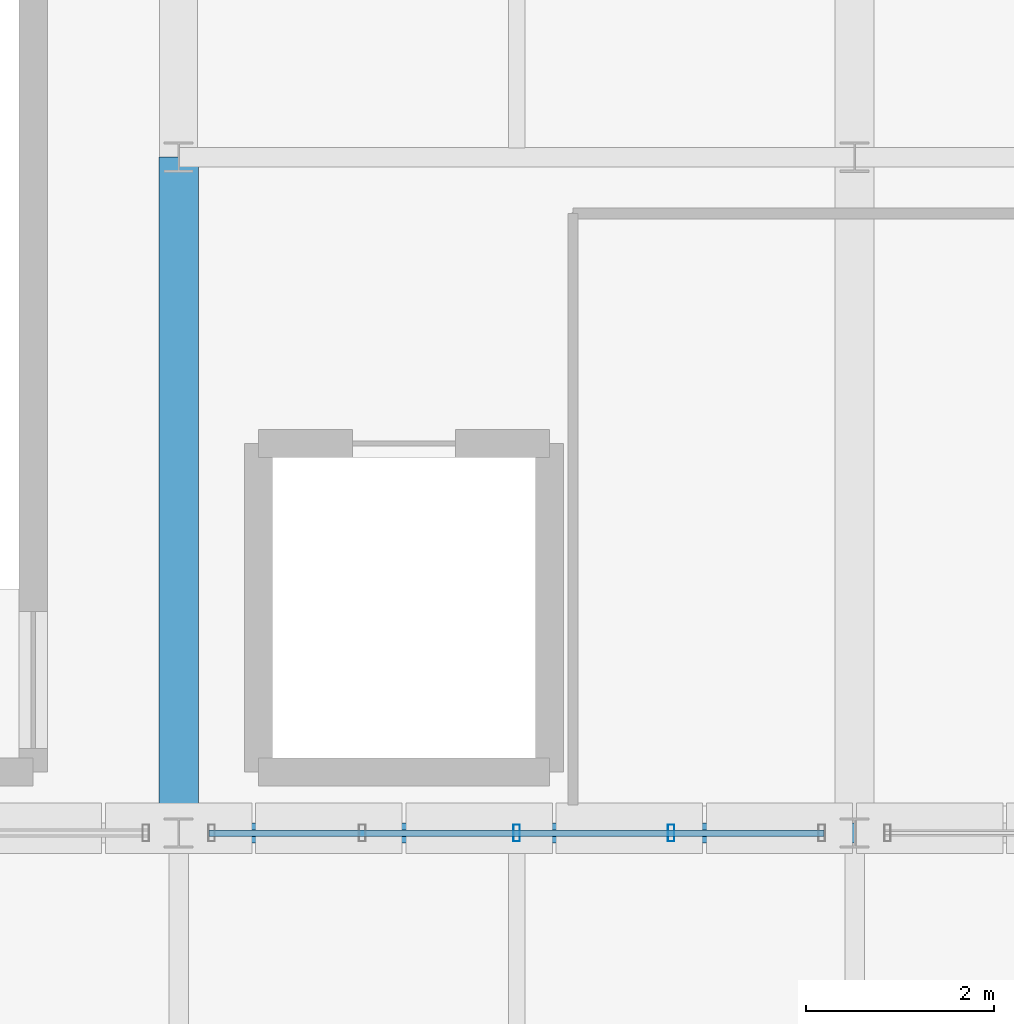
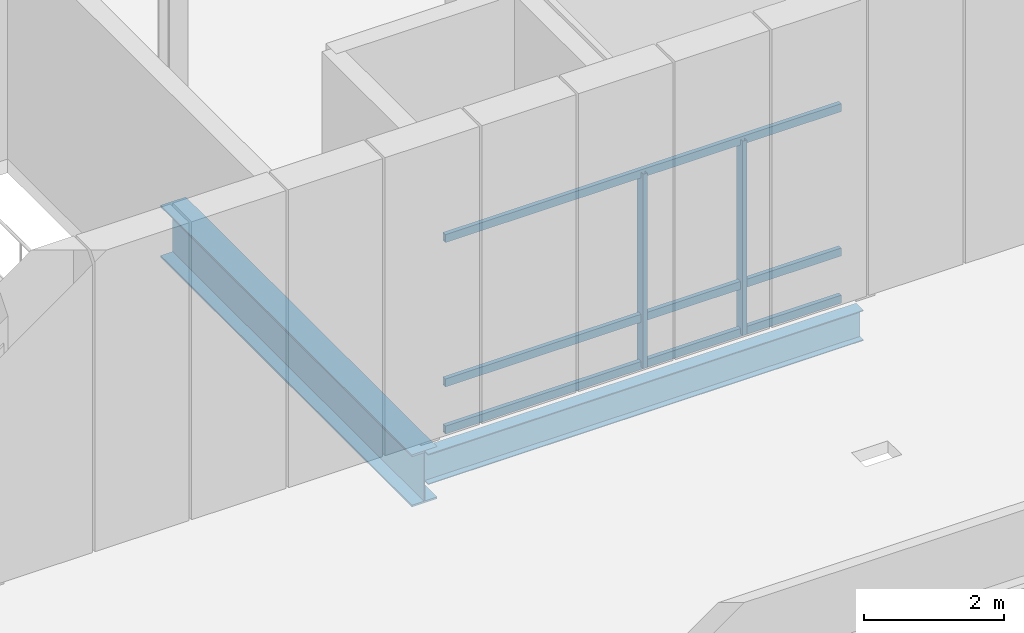
# One storey, part 6 of 47: 5 members, 2 beams, 1 element without a shape of its own.
"""IFC4 building model written with IfcOpenShell, lengths in metres."""

from ifc_helpers import new_model, si_unit, direction, frame, origin, origin_2d, place, context, subcontext, project, spatial, hollow_rectangle, i_section, extrude, material, material_profile, profile_set, type_object, element, aggregate, save


model = new_model("IFC4")

# Units and contexts
model_context = context("Model", 3, precision=1e-05, world=origin(), true_north=direction((0.0, 1.0)))
body_context = subcontext(model_context, "Body", "Model", "MODEL_VIEW")
ifc_project = project(units=[si_unit("LENGTHUNIT", "METRE"), si_unit("AREAUNIT", "SQUARE_METRE"), si_unit("VOLUMEUNIT", "CUBIC_METRE"), si_unit("PLANEANGLEUNIT", "RADIAN"), si_unit("MASSUNIT", "GRAM", prefix="KILO")], contexts=[model_context])

# Site, building, storey
site_placement = place(None, origin())
site = spatial("IfcSite", under=ifc_project, at=site_placement, CompositionType="ELEMENT")
building_placement = place(site_placement, origin())
building = spatial("IfcBuilding", under=site, at=building_placement, Name="Yarey Park Central Fire Station", CompositionType="ELEMENT")
storey_placement = place(building_placement, frame((0.0, 0.0, 18.0)))
storey = spatial("IfcBuildingStorey", under=building, at=storey_placement, Name="L05", CompositionType="ELEMENT", Elevation=18.0)

# Curtain wall, members
ifc_material_1 = material(Name="Anodized Aluminium Frame", Category="aluminium")
curtain_wall_type = type_object("IfcCurtainWallType", Name="ENV_CW_V3_PAV", PredefinedType="NOTDEFINED", material=ifc_material_1)
curtain_wall_placement = place(storey_placement, origin())
curtain_wall = element("IfcCurtainWall", 1, at=curtain_wall_placement, inside=storey, type_object=curtain_wall_type, Name="CW_L05_V3_S_080", PredefinedType="NOTDEFINED")
ifc_material_profile_1 = material_profile(ifc_material_1, hollow_rectangle(XDim=0.070068359375, YDim=0.179931640625, WallThickness=0.00390625, at=origin_2d()), Name="ALU 180x70x4")
ifc_profile_set_1 = profile_set([ifc_material_profile_1], Name="Anodized Aluminium Frame")
member_type_1 = type_object("IfcMemberType", Name="ENV_CW_MULLION", PredefinedType="MULLION", material=ifc_profile_set_1)
member_1_placement = place(storey_placement, frame((39.60009765625, 57.60009765625, 0.0), z_axis=(0.0, 0.0, 1.0), x_axis=(1.0, 0.0, 0.0)))
member_1 = element("IfcMember", 2, at=member_1_placement, type_object=member_type_1, Name="CW_L05_V3_S_080_MUL3", PredefinedType="MULLION", context=body_context, shape_type="SweptSolid", body=[
    extrude(hollow_rectangle(XDim=0.070068359375, YDim=0.179931640625, WallThickness=0.00390625, at=origin_2d()), origin(), (0.0, 0.0, 1.0), 3.39990234375),
])
member_2_placement = place(storey_placement, frame((41.2451171875, 57.60009765625, 0.0), z_axis=(0.0, 0.0, 1.0), x_axis=(1.0, 0.0, 0.0)))
member_2 = element("IfcMember", 3, at=member_2_placement, type_object=member_type_1, Name="CW_L05_V3_S_080_MUL4", PredefinedType="MULLION", context=body_context, shape_type="SweptSolid", body=[
    extrude(hollow_rectangle(XDim=0.070068359375, YDim=0.179931640625, WallThickness=0.00390625, at=origin_2d()), origin(), (0.0, 0.0, 1.0), 3.39990234375),
])
ifc_material_profile_2 = material_profile(ifc_material_1, hollow_rectangle(XDim=0.070068359375, YDim=0.139892578125, WallThickness=0.00390625, at=origin_2d()), Name="ALU 140x70x4")
ifc_profile_set_2 = profile_set([ifc_material_profile_2], Name="Anodized Aluminium Frame")
member_type_2 = type_object("IfcMemberType", Name="ENV_CW_TRANSOM", PredefinedType="USERDEFINED", material=ifc_profile_set_2)
member_3_placement = place(storey_placement, frame((36.324951171875, 57.60009765625, 0.02490234375), z_axis=(1.0, 0.0, 0.0), x_axis=(0.0, 1.0, 0.0)))
member_3 = element("IfcMember", 4, at=member_3_placement, type_object=member_type_2, Name="CW_L05_V3_S_080_TRN1", ObjectType="TRANSOM", PredefinedType="USERDEFINED", context=body_context, shape_type="SweptSolid", body=[
    extrude(hollow_rectangle(XDim=0.070068359375, YDim=0.139892578125, WallThickness=0.00390625, at=origin_2d()), origin(), (0.0, 0.0, 1.0), 6.550048828125),
])
member_4_placement = place(storey_placement, frame((36.324951171875, 57.60009765625, 0.85009765625), z_axis=(1.0, 0.0, 0.0), x_axis=(0.0, 1.0, 0.0)))
member_4 = element("IfcMember", 5, at=member_4_placement, type_object=member_type_2, Name="CW_L05_V3_S_080_TRN2", ObjectType="TRANSOM", PredefinedType="USERDEFINED", context=body_context, shape_type="SweptSolid", body=[
    extrude(hollow_rectangle(XDim=0.070068359375, YDim=0.139892578125, WallThickness=0.00390625, at=origin_2d()), origin(), (0.0, 0.0, 1.0), 6.550048828125),
])
member_5_placement = place(storey_placement, frame((36.324951171875, 57.60009765625, 3.375), z_axis=(1.0, 0.0, 0.0), x_axis=(0.0, 1.0, 0.0)))
member_5 = element("IfcMember", 6, at=member_5_placement, type_object=member_type_2, Name="CW_L05_V3_S_080_TRN3", ObjectType="TRANSOM", PredefinedType="USERDEFINED", context=body_context, shape_type="SweptSolid", body=[
    extrude(hollow_rectangle(XDim=0.070068359375, YDim=0.139892578125, WallThickness=0.00390625, at=origin_2d()), origin(), (0.0, 0.0, 1.0), 6.550048828125),
])
aggregate(curtain_wall, [member_1, member_2, member_3, member_4, member_5])

# Beams
ifc_material_2 = material(Name="Steel ASTM A992 Gr. 50", Category="steel")
ifc_material_profile_3 = material_profile(ifc_material_2, i_section(OverallWidth=0.208984375, OverallDepth=0.532958984375, WebThickness=0.01025390625, FlangeThickness=0.015625, at=origin_2d()), Name="W530x92")
ifc_profile_set_3 = profile_set([ifc_material_profile_3], Name="Steel ASTM A992 Gr. 50")
beam_type_1 = type_object("IfcBeamType", Name="STR_BM_W530", PredefinedType="BEAM", material=ifc_profile_set_3)
beam_1_placement = place(storey_placement, frame((36.0, 57.60009765625, -0.506591796875), z_axis=(1.0, 0.0, 0.0), x_axis=(0.0, 1.0, 0.0)))
element("IfcBeam", 7, at=beam_1_placement, inside=storey, type_object=beam_type_1, Name="BMX L05 Y576 X360", PredefinedType="BEAM", context=body_context, shape_type="SweptSolid", body=[
    extrude(i_section(OverallWidth=0.208984375, OverallDepth=0.532958984375, WebThickness=0.01025390625, FlangeThickness=0.015625, at=origin_2d()), origin(), (0.0, 0.0, 1.0), 7.199951171875),
])
ifc_material_profile_4 = material_profile(ifc_material_2, i_section(OverallWidth=0.41796875, OverallDepth=0.912109375, WebThickness=0.019287109375, FlangeThickness=0.031982421875, at=origin_2d()), Name="W920x342")
ifc_profile_set_4 = profile_set([ifc_material_profile_4], Name="Steel ASTM A992 Gr. 50")
beam_type_2 = type_object("IfcBeamType", Name="STR_BM_W920", PredefinedType="BEAM", material=ifc_profile_set_4)
beam_2_placement = place(storey_placement, frame((36.0, 57.60009765625, -0.696044921875), z_axis=(0.0, 1.0, 0.0), x_axis=(-1.0, 0.0, 0.0)))
element("IfcBeam", 8, at=beam_2_placement, inside=storey, type_object=beam_type_2, Name="Transfer Truss TT2 L05 CH1", PredefinedType="BEAM", context=body_context, shape_type="SweptSolid", body=[
    extrude(i_section(OverallWidth=0.41796875, OverallDepth=0.912109375, WebThickness=0.019287109375, FlangeThickness=0.031982421875, at=origin_2d()), origin(), (0.0, 0.0, 1.0), 7.199951171875),
])

save(model, "model.ifc")
